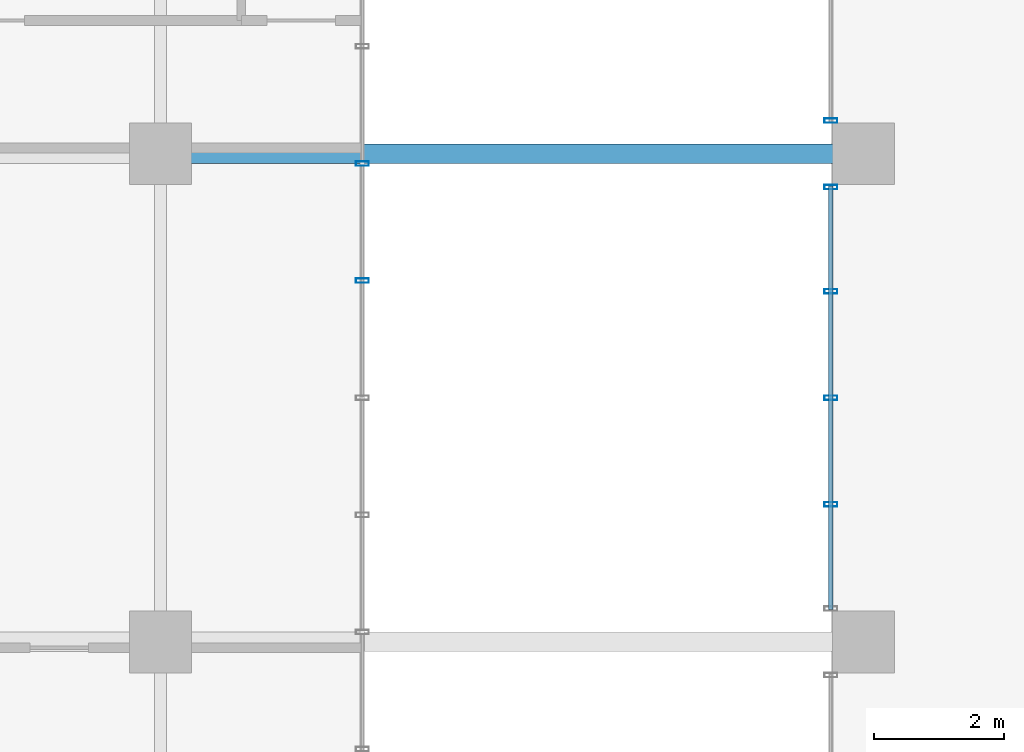
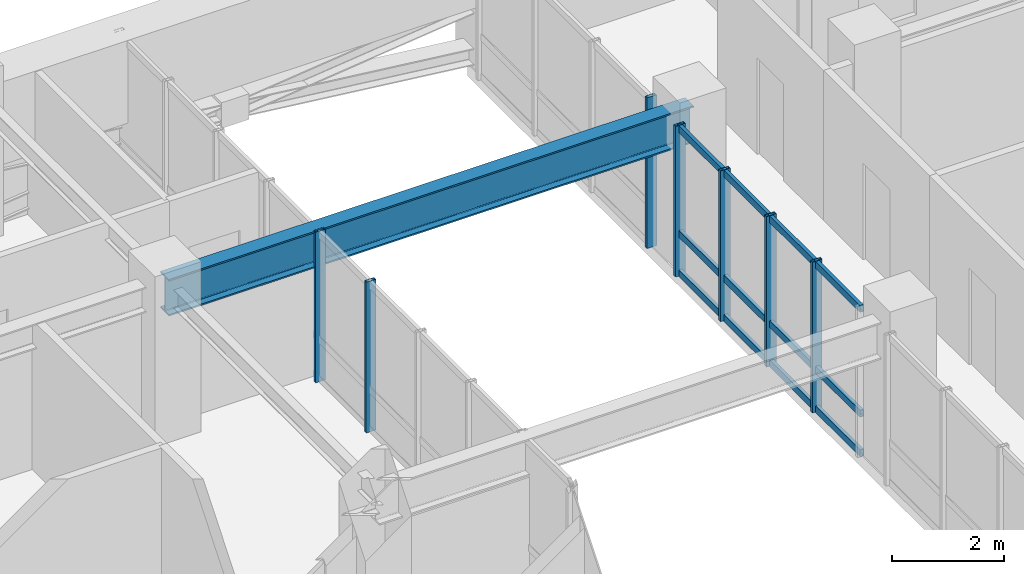
# One storey, part 12 of 23: 10 members, 1 beam, 3 elements without a shape of their own.
"""IFC4 building model written with IfcOpenShell, lengths in metres."""

from ifc_helpers import new_model, si_unit, direction, frame, origin, origin_2d, place, context, subcontext, project, spatial, hollow_rectangle, i_section, extrude, source, transform, mapped, material, layer, layer_set, material_profile, profile_set, type_object, element, aggregate, save


model = new_model("IFC4")

# Units and contexts
model_context = context("Model", 3, precision=1e-05, world=origin(), true_north=direction((0.0, 1.0)))
body_context = subcontext(model_context, "Body", "Model", "MODEL_VIEW")
ifc_project = project(units=[si_unit("LENGTHUNIT", "METRE"), si_unit("AREAUNIT", "SQUARE_METRE"), si_unit("VOLUMEUNIT", "CUBIC_METRE"), si_unit("PLANEANGLEUNIT", "RADIAN"), si_unit("MASSUNIT", "GRAM", prefix="KILO")], contexts=[model_context])

# Site, building, storey
site_placement = place(None, origin())
site = spatial("IfcSite", under=ifc_project, at=site_placement, CompositionType="ELEMENT")
building_placement = place(site_placement, origin())
building = spatial("IfcBuilding", under=site, at=building_placement, Name="Kaliganga Portal Commons", CompositionType="ELEMENT")
storey_placement = place(building_placement, frame((0.0, 0.0, 246.199951171875)))
storey = spatial("IfcBuildingStorey", under=building, at=storey_placement, Name="L63", CompositionType="ELEMENT", Elevation=246.199951171875)

# Beam
ifc_material_1 = material(Name="Structural steel S460M", Category="steel")
ifc_material_profile_1 = material_profile(ifc_material_1, i_section(OverallWidth=0.300048828125, OverallDepth=0.800048828125, WebThickness=0.017578125, FlangeThickness=0.032958984375, FilletRadius=0.030029296875, at=origin_2d()), Name="HE 800 B")
ifc_profile_set_1 = profile_set([ifc_material_profile_1], Name="Structural steel S460M wide-flange")
beam_type = type_object("IfcBeamType", Name="BM-PORTAL-800", PredefinedType="USERDEFINED", material=ifc_profile_set_1)
shared_shape_1 = source(origin(), body_context, "Body", "SweptSolid", [
    extrude(i_section(OverallWidth=0.300048828125, OverallDepth=0.800048828125, WebThickness=0.017578125, FlangeThickness=0.032958984375, FilletRadius=0.030029296875, at=origin_2d()), origin(), (0.0, 0.0, 1.0), 10.800048828125),
])
beam_placement = place(storey_placement, frame((36.0, 36.14990234375, 2.880126953125), z_axis=(1.0, 0.0, 0.0), x_axis=(0.0, 1.0, 0.0)))
element("IfcBeam", 1, at=beam_placement, inside=storey, type_object=beam_type, Name="BM PORTAL BRG2", ObjectType="GIRDER", PredefinedType="USERDEFINED", context=body_context, shape_type="MappedRepresentation", body=[
    mapped(shared_shape_1, transform((0.0, 0.0, 0.0), x_axis=(1.0, 0.0, 0.0), y_axis=(0.0, 1.0, 0.0), z_axis=(0.0, 0.0, 1.0), scale=1.0)),
])

# Curtain wall, members
ifc_material_2 = material(Name="Anodized Aluminium and Laminated Low-E Glass", Category="aluminium")
ifc_layer = layer(ifc_material_2, 0.239990234375)
ifc_layer_set = layer_set([ifc_layer], Name="Anodized Aluminium and Laminated Low-E Glass")
curtain_wall_type = type_object("IfcCurtainWallType", Name="CW-SYS-04", PredefinedType="NOTDEFINED", material=ifc_layer_set)
curtain_wall_1_placement = place(storey_placement, origin())
curtain_wall_1 = element("IfcCurtainWall", 2, at=curtain_wall_1_placement, inside=storey, type_object=curtain_wall_type, Name="CW 04 L63 P2E07S2", PredefinedType="NOTDEFINED")
ifc_material_3 = material(Name="Dark Bronze Anodized Aluminium", Category="aluminium")
ifc_material_profile_2 = material_profile(ifc_material_3, hollow_rectangle(XDim=0.070068359375, YDim=0.14990234375, WallThickness=0.00341796875, at=origin_2d()), Name="ALU TRAN 70x150x3.5")
ifc_profile_set_2 = profile_set([ifc_material_profile_2], Name="Dark Bronze Anodized Aluminium")
member_type_1 = type_object("IfcMemberType", Name="CW-TRN-150", PredefinedType="USERDEFINED", material=ifc_profile_set_2)
shared_shape_2 = source(origin(), body_context, "Body", "SweptSolid", [
    extrude(hollow_rectangle(XDim=0.070068359375, YDim=0.14990234375, WallThickness=0.00341796875, at=origin_2d()), origin(), (0.0, 0.0, 1.0), 6.508056640625),
])
member_1_placement = place(storey_placement, frame((46.300048828125, 35.654052734375, 0.06005859375), z_axis=(0.0, -1.0, 0.0), x_axis=(1.0, 0.0, 0.0)))
member_1 = element("IfcMember", 3, at=member_1_placement, type_object=member_type_1, Name="CW:04:L63:P2E07S2 Transom 1", ObjectType="TRANSOM", PredefinedType="USERDEFINED", context=body_context, shape_type="MappedRepresentation", body=[
    mapped(shared_shape_2, transform((0.0, 0.0, 0.0), x_axis=(1.0, 0.0, 0.0), y_axis=(0.0, 1.0, 0.0), z_axis=(0.0, 0.0, 1.0), scale=1.0)),
])
member_2_placement = place(storey_placement, frame((46.300048828125, 35.654052734375, 0.91845703125), z_axis=(0.0, -1.0, 0.0), x_axis=(1.0, 0.0, 0.0)))
member_2 = element("IfcMember", 4, at=member_2_placement, type_object=member_type_1, Name="CW:04:L63:P2E07S2 Transom 2", ObjectType="TRANSOM", PredefinedType="USERDEFINED", context=body_context, shape_type="MappedRepresentation", body=[
    mapped(shared_shape_2, transform((0.0, 0.0, 0.0), x_axis=(1.0, 0.0, 0.0), y_axis=(0.0, 1.0, 0.0), z_axis=(0.0, 0.0, 1.0), scale=1.0)),
])
member_3_placement = place(storey_placement, frame((46.300048828125, 35.654052734375, 3.199951171875), z_axis=(0.0, -1.0, 0.0), x_axis=(1.0, 0.0, 0.0)))
member_3 = element("IfcMember", 5, at=member_3_placement, type_object=member_type_1, Name="CW:04:L63:P2E07S2 Transom 3", ObjectType="TRANSOM", PredefinedType="USERDEFINED", context=body_context, shape_type="MappedRepresentation", body=[
    mapped(shared_shape_2, transform((0.0, 0.0, 0.0), x_axis=(1.0, 0.0, 0.0), y_axis=(0.0, 1.0, 0.0), z_axis=(0.0, 0.0, 1.0), scale=1.0)),
])

curtain_wall_2_placement = place(storey_placement, origin())
curtain_wall_2 = element("IfcCurtainWall", 6, at=curtain_wall_2_placement, inside=storey, type_object=curtain_wall_type, Name="CW 04 L63 P1E01S1", PredefinedType="NOTDEFINED")
ifc_material_profile_3 = material_profile(ifc_material_3, hollow_rectangle(XDim=0.070068359375, YDim=0.199951171875, WallThickness=0.00390625, at=origin_2d()), Name="ALU MULL 70x200x4")
ifc_profile_set_3 = profile_set([ifc_material_profile_3], Name="Dark Bronze Anodized Aluminium")
member_type_2 = type_object("IfcMemberType", Name="CW-MUL-220", PredefinedType="MULLION", material=ifc_profile_set_3)
shared_shape_3 = source(origin(), body_context, "Body", "SweptSolid", [
    extrude(hollow_rectangle(XDim=0.070068359375, YDim=0.199951171875, WallThickness=0.00390625, at=origin_2d()), origin(), (0.0, 0.0, 1.0), 3.280029296875),
])
member_4_placement = place(storey_placement, frame((39.10009765625, 34.199951171875, 0.0), z_axis=(0.0, 0.0, 1.0), x_axis=(0.0, 1.0, 0.0)))
member_4 = element("IfcMember", 7, at=member_4_placement, type_object=member_type_2, Name="CW:04:L63:P1E01S1 Mullion 07", PredefinedType="MULLION", context=body_context, shape_type="MappedRepresentation", body=[
    mapped(shared_shape_3, transform((0.0, 0.0, 0.0), x_axis=(1.0, 0.0, 0.0), y_axis=(0.0, 1.0, 0.0), z_axis=(0.0, 0.0, 1.0), scale=1.0)),
])
member_5_placement = place(storey_placement, frame((39.10009765625, 36.0, 0.0), z_axis=(0.0, 0.0, 1.0), x_axis=(0.0, 1.0, 0.0)))
member_5 = element("IfcMember", 8, at=member_5_placement, type_object=member_type_2, Name="CW:04:L63:P1E01S1 Mullion 08", PredefinedType="MULLION", context=body_context, shape_type="MappedRepresentation", body=[
    mapped(shared_shape_3, transform((0.0, 0.0, 0.0), x_axis=(1.0, 0.0, 0.0), y_axis=(0.0, 1.0, 0.0), z_axis=(0.0, 0.0, 1.0), scale=1.0)),
])
aggregate(curtain_wall_2, [member_4, member_5])

# Curtain wall, member
curtain_wall_3_placement = place(storey_placement, origin())
curtain_wall_3 = element("IfcCurtainWall", 9, at=curtain_wall_3_placement, inside=storey, type_object=curtain_wall_type, Name="CW 04 L63 P2E07S1", PredefinedType="NOTDEFINED")
member_6_placement = place(storey_placement, frame((46.300048828125, 36.660888671875, 0.0), z_axis=(0.0, 0.0, 1.0), x_axis=(0.0, -1.0, 0.0)))
member_6 = element("IfcMember", 10, at=member_6_placement, type_object=member_type_2, Name="CW:04:L63:P2E07S1 Mullion 03", PredefinedType="MULLION", context=body_context, shape_type="MappedRepresentation", body=[
    mapped(shared_shape_3, transform((0.0, 0.0, 0.0), x_axis=(1.0, 0.0, 0.0), y_axis=(0.0, 1.0, 0.0), z_axis=(0.0, 0.0, 1.0), scale=1.0)),
])
aggregate(curtain_wall_3, [member_6])

# Member
member_7_placement = place(storey_placement, frame((46.300048828125, 35.638916015625, 0.0), z_axis=(0.0, 0.0, 1.0), x_axis=(0.0, -1.0, 0.0)))
member_7 = element("IfcMember", 11, at=member_7_placement, type_object=member_type_2, Name="CW:04:L63:P2E07S2 Mullion 00", PredefinedType="MULLION", context=body_context, shape_type="MappedRepresentation", body=[
    mapped(shared_shape_3, transform((0.0, 0.0, 0.0), x_axis=(1.0, 0.0, 0.0), y_axis=(0.0, 1.0, 0.0), z_axis=(0.0, 0.0, 1.0), scale=1.0)),
])

member_8_placement = place(storey_placement, frame((46.300048828125, 34.037109375, 0.0), z_axis=(0.0, 0.0, 1.0), x_axis=(0.0, -1.0, 0.0)))
member_8 = element("IfcMember", 12, at=member_8_placement, type_object=member_type_2, Name="CW:04:L63:P2E07S2 Mullion 01", PredefinedType="MULLION", context=body_context, shape_type="MappedRepresentation", body=[
    mapped(shared_shape_3, transform((0.0, 0.0, 0.0), x_axis=(1.0, 0.0, 0.0), y_axis=(0.0, 1.0, 0.0), z_axis=(0.0, 0.0, 1.0), scale=1.0)),
])

member_9_placement = place(storey_placement, frame((46.300048828125, 32.39990234375, 0.0), z_axis=(0.0, 0.0, 1.0), x_axis=(0.0, -1.0, 0.0)))
member_9 = element("IfcMember", 13, at=member_9_placement, type_object=member_type_2, Name="CW:04:L63:P2E07S2 Mullion 02", PredefinedType="MULLION", context=body_context, shape_type="MappedRepresentation", body=[
    mapped(shared_shape_3, transform((0.0, 0.0, 0.0), x_axis=(1.0, 0.0, 0.0), y_axis=(0.0, 1.0, 0.0), z_axis=(0.0, 0.0, 1.0), scale=1.0)),
])

member_10_placement = place(storey_placement, frame((46.300048828125, 30.762939453125, 0.0), z_axis=(0.0, 0.0, 1.0), x_axis=(0.0, -1.0, 0.0)))
member_10 = element("IfcMember", 14, at=member_10_placement, type_object=member_type_2, Name="CW:04:L63:P2E07S2 Mullion 03", PredefinedType="MULLION", context=body_context, shape_type="MappedRepresentation", body=[
    mapped(shared_shape_3, transform((0.0, 0.0, 0.0), x_axis=(1.0, 0.0, 0.0), y_axis=(0.0, 1.0, 0.0), z_axis=(0.0, 0.0, 1.0), scale=1.0)),
])

aggregate(curtain_wall_1, [member_7, member_8, member_9, member_10, member_1, member_2, member_3])

save(model, "model.ifc")
